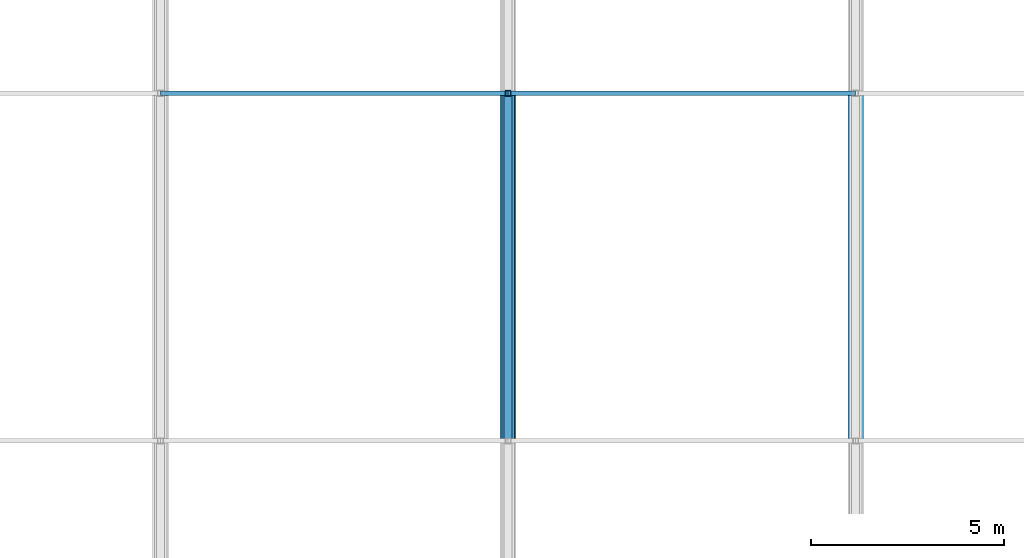
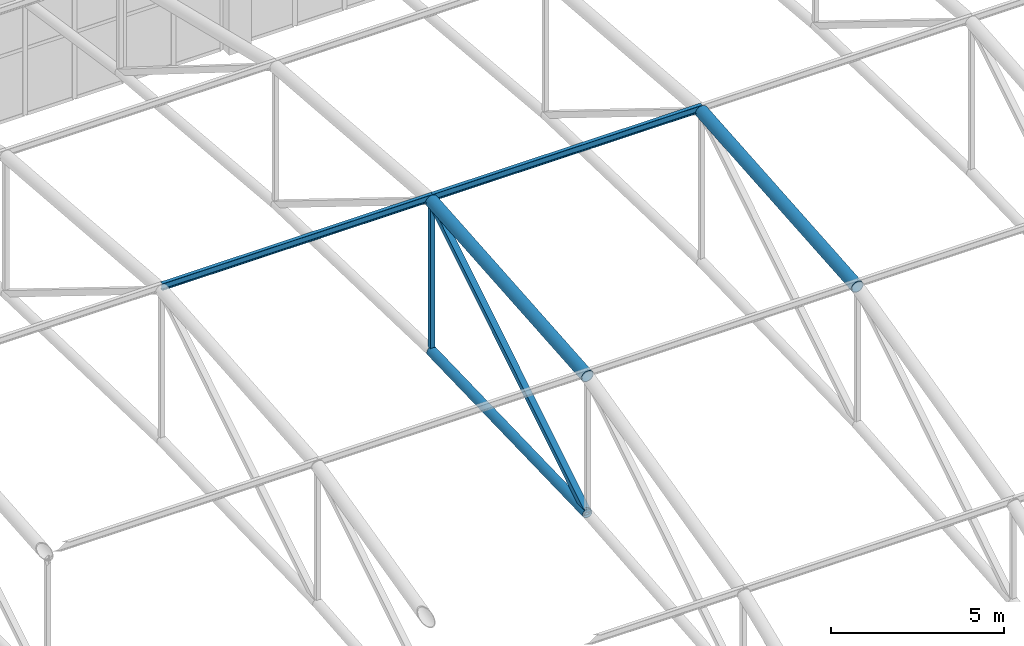
# One storey, part 133 of 223: 7 members.
"""IFC4 building model written with IfcOpenShell, lengths in metres."""

from ifc_helpers import new_model, si_unit, direction, frame, origin, origin_2d, place, context, subcontext, project, spatial, hollow_rectangle, hollow_circle, i_section, extrude, material, material_profile, profile_set, type_object, element, save


model = new_model("IFC4")

# Units and contexts
model_context = context("Model", 3, precision=1e-05, world=origin(), true_north=direction((0.0, 1.0)))
body_context = subcontext(model_context, "Body", "Model", "MODEL_VIEW")
ifc_project = project(units=[si_unit("LENGTHUNIT", "METRE"), si_unit("AREAUNIT", "SQUARE_METRE"), si_unit("VOLUMEUNIT", "CUBIC_METRE"), si_unit("PLANEANGLEUNIT", "RADIAN"), si_unit("MASSUNIT", "GRAM", prefix="KILO")], contexts=[model_context])

# Site, building, storey
site_placement = place(None, origin())
site = spatial("IfcSite", under=ifc_project, at=site_placement, CompositionType="ELEMENT")
building_placement = place(site_placement, origin())
building = spatial("IfcBuilding", under=site, at=building_placement, Name="Dornveld Trade and Exhibition Forum", CompositionType="ELEMENT")
storey_placement = place(building_placement, frame((0.0, 0.0, 6.0)))
storey = spatial("IfcBuildingStorey", under=building, at=storey_placement, Name="L01", CompositionType="ELEMENT", Elevation=6.0)

# Members
ifc_material_1 = material(Name="Steel S355J2", Category="steel")
ifc_material_profile_1 = material_profile(ifc_material_1, hollow_circle(Radius=0.161865234375, WallThickness=0.01611328125, at=origin_2d()), Name="CHS 323.9x16")
ifc_profile_set_1 = profile_set([ifc_material_profile_1], Name="Steel S355J2")
member_type_1 = type_object("IfcMemberType", Name="MEM-ARCH-BC", PredefinedType="CHORD", material=ifc_profile_set_1)
member_1_placement = place(storey_placement, frame((135.0, 126.0, 8.4833984375), z_axis=(0.0, 0.999561545365, 0.029609407757), x_axis=(-1.0, 0.0, 0.0)))
element("IfcMember", 1, at=member_1_placement, inside=storey, type_object=member_type_1, Name="H1 truss 5 tie chord 3", PredefinedType="CHORD", context=body_context, shape_type="SweptSolid", body=[
    extrude(hollow_circle(Radius=0.161865234375, WallThickness=0.01611328125, at=origin_2d()), origin(), (0.0, 0.0, 1.0), 9.00390625),
])
ifc_material_2 = material(Name="Steel S355J2", Category="steel")
ifc_material_profile_2 = material_profile(ifc_material_2, hollow_rectangle(XDim=0.14990234375, YDim=0.14990234375, WallThickness=0.008056640625, at=origin_2d()), Name="SHS 150x150x8")
ifc_profile_set_2 = profile_set([ifc_material_profile_2], Name="Steel S355J2")
member_type_2 = type_object("IfcMemberType", Name="MEM-ARCH-STR", PredefinedType="STRUT", material=ifc_profile_set_2)
member_2_placement = place(storey_placement, frame((135.0, 135.0, 8.75), z_axis=(0.0, 0.0, 1.0), x_axis=(1.0, 0.0, 0.0)))
element("IfcMember", 2, at=member_2_placement, inside=storey, type_object=member_type_2, Name="H1 truss 5 strut 4", PredefinedType="STRUT", context=body_context, shape_type="SweptSolid", body=[
    extrude(hollow_rectangle(XDim=0.14990234375, YDim=0.14990234375, WallThickness=0.008056640625, at=origin_2d()), origin(), (0.0, 0.0, 1.0), 5.300048828125),
])
ifc_material_3 = material(Name="Steel S355J2", Category="steel")
ifc_material_profile_3 = material_profile(ifc_material_3, hollow_circle(Radius=0.203125, WallThickness=0.02001953125, at=origin_2d()), Name="CHS 406.4x20")
ifc_profile_set_3 = profile_set([ifc_material_profile_3], Name="Steel S355J2")
member_type_3 = type_object("IfcMemberType", Name="MEM-ARCH-TC", PredefinedType="CHORD", material=ifc_profile_set_3)
for number, where, z_axis, x_axis, name in (
    (3, (135.0, 126.0, 13.316650390625), (0.0, 0.996696239312, 0.081219496064), (-1.0, 0.0, 0.0), "H1 truss 5 top chord 3"),
    (4, (144.0, 126.0, 13.316650390625), (0.0, 0.996696239312, 0.081219496064), (-1.0, 0.0, 0.0), "H1 truss 6 top chord 3"),
):
    element("IfcMember", number, at=place(storey_placement, frame(where, z_axis=z_axis, x_axis=x_axis)), inside=storey, type_object=member_type_3, Name=name, PredefinedType="CHORD", context=body_context, shape_type="SweptSolid", body=[
        extrude(hollow_circle(Radius=0.203125, WallThickness=0.02001953125, at=origin_2d()), origin(), (0.0, 0.0, 1.0), 9.02978515625),
    ])
ifc_material_4 = material(Name="Steel S355J2", Category="steel")
ifc_material_profile_4 = material_profile(ifc_material_4, hollow_rectangle(XDim=0.199951171875, YDim=0.199951171875, WallThickness=0.010009765625, at=origin_2d()), Name="SHS 200x200x10")
ifc_profile_set_4 = profile_set([ifc_material_profile_4], Name="Steel S355J2")
member_type_4 = type_object("IfcMemberType", Name="MEM-ARCH-WEB", PredefinedType="BRACE", material=ifc_profile_set_4)
member_3_placement = place(storey_placement, frame((135.0, 126.0, 8.4833984375), z_axis=(0.0, 0.850467158024, 0.526028148603), x_axis=(-1.0, 0.0, 0.0)))
element("IfcMember", 5, at=member_3_placement, inside=storey, type_object=member_type_4, Name="H1 truss 5 web 3", PredefinedType="BRACE", context=body_context, shape_type="SweptSolid", body=[
    extrude(hollow_rectangle(XDim=0.199951171875, YDim=0.199951171875, WallThickness=0.010009765625, at=origin_2d()), origin(), (0.0, 0.0, 1.0), 10.58251953125),
])
ifc_material_5 = material(Name="Steel S355J2", Category="steel")
ifc_material_profile_5 = material_profile(ifc_material_5, i_section(OverallWidth=0.1201171875, OverallDepth=0.239990234375, WebThickness=0.006103515625, FlangeThickness=0.009765625, FilletRadius=0.014892578125, at=origin_2d()), Name="IPE 240")
ifc_profile_set_5 = profile_set([ifc_material_profile_5], Name="Steel S355J2")
member_type_5 = type_object("IfcMemberType", Name="MEM-PURLIN-240", PredefinedType="PURLIN", material=ifc_profile_set_5)
for number, where, z_axis, x_axis, name in (
    (6, (126.0, 135.0, 14.181884765625), (1.0, 0.0, 0.0), (0.0, 1.0, 0.0), "H1 bay 4 roof purlin 4"),
    (7, (135.0, 135.0, 14.181884765625), (1.0, 0.0, 0.0), (0.0, 1.0, 0.0), "H1 bay 5 roof purlin 4"),
):
    element("IfcMember", number, at=place(storey_placement, frame(where, z_axis=z_axis, x_axis=x_axis)), inside=storey, type_object=member_type_5, Name=name, PredefinedType="PURLIN", context=body_context, shape_type="SweptSolid", body=[
        extrude(i_section(OverallWidth=0.1201171875, OverallDepth=0.239990234375, WebThickness=0.006103515625, FlangeThickness=0.009765625, FilletRadius=0.014892578125, at=origin_2d()), origin(), (0.0, 0.0, 1.0), 9.0),
    ])

save(model, "model.ifc")
